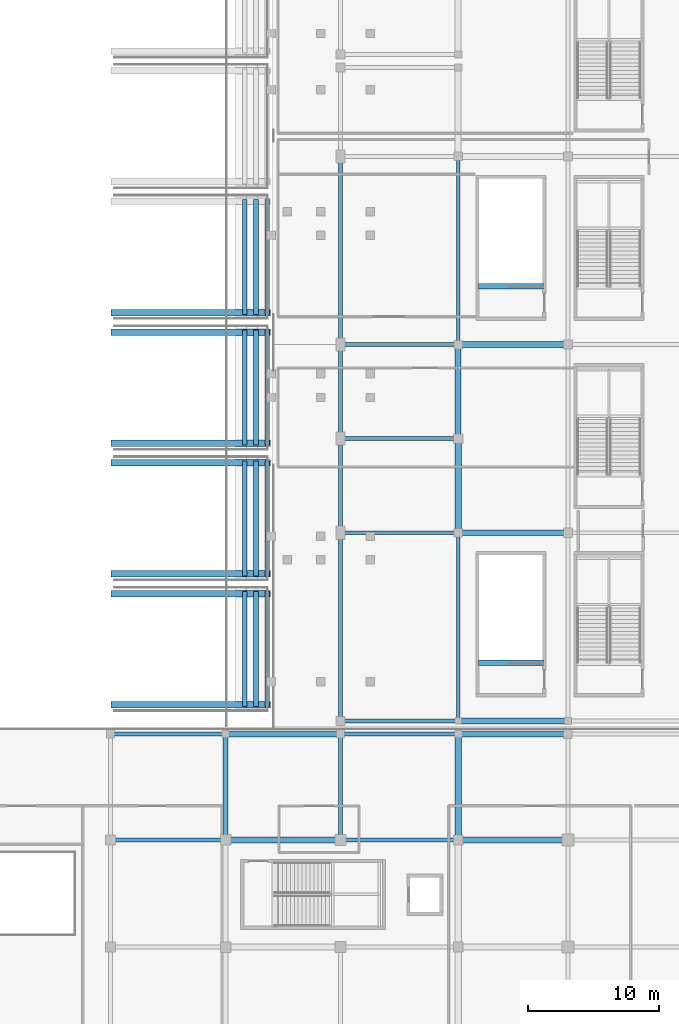
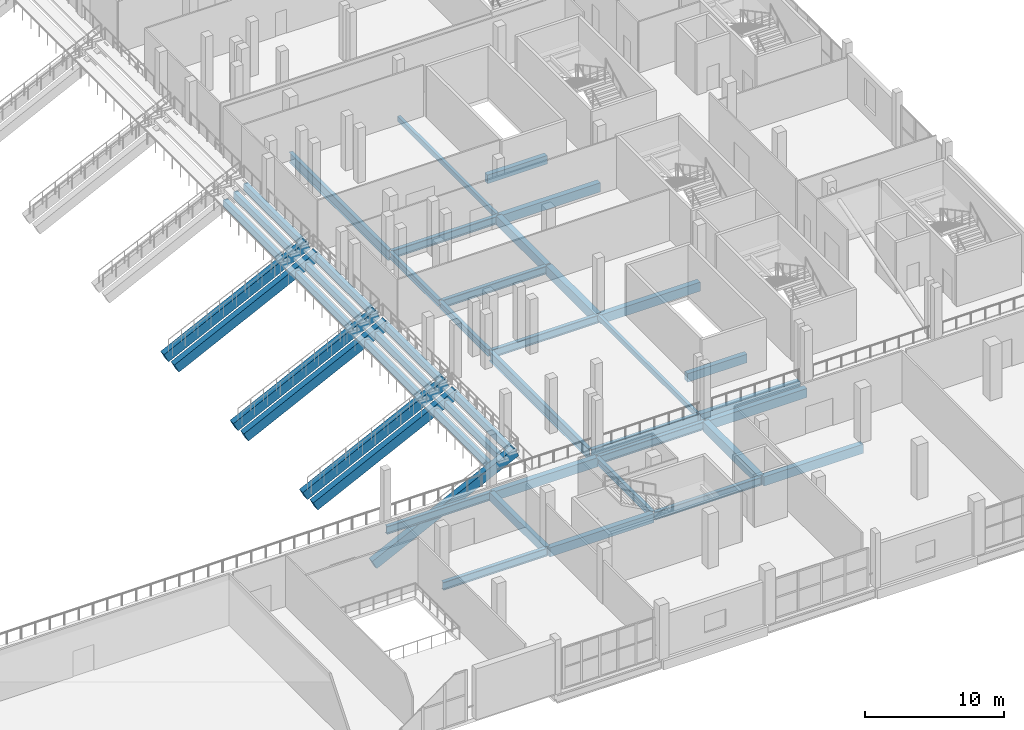
# One storey, part 35 of 129: 47 beams.
"""IFC4 building model written with IfcOpenShell, lengths in metres."""

from ifc_helpers import new_model, si_unit, direction, frame, origin, origin_2d, place, context, subcontext, project, spatial, rectangle, hollow_rectangle, i_section, extrude, material, material_profile, profile_set, type_object, element, save


model = new_model("IFC4")

# Units and contexts
model_context = context("Model", 3, precision=1e-05, world=origin(), true_north=direction((0.0, 1.0)))
body_context = subcontext(model_context, "Body", "Model", "MODEL_VIEW")
ifc_project = project(units=[si_unit("LENGTHUNIT", "METRE"), si_unit("AREAUNIT", "SQUARE_METRE"), si_unit("VOLUMEUNIT", "CUBIC_METRE"), si_unit("PLANEANGLEUNIT", "RADIAN"), si_unit("MASSUNIT", "GRAM", prefix="KILO")], contexts=[model_context])

# Site, building, storey
site_placement = place(None, origin())
site = spatial("IfcSite", under=ifc_project, at=site_placement, CompositionType="ELEMENT")
building_placement = place(site_placement, origin())
building = spatial("IfcBuilding", under=site, at=building_placement, Name="Koshinbarg Plaza Stadium", CompositionType="ELEMENT")
storey_placement = place(building_placement, frame((0.0, 0.0, 5.39990234375)))
storey = spatial("IfcBuildingStorey", under=building, at=storey_placement, Name="L01", CompositionType="ELEMENT", Elevation=5.39990234375)

# Beams
ifc_material_1 = material(Name="Concrete C40/50", Category="concrete")
ifc_material_profile_1 = material_profile(ifc_material_1, rectangle(XDim=0.5, YDim=0.85009765625, at=origin_2d()), Name="RC 500x850")
ifc_profile_set_1 = profile_set([ifc_material_profile_1], Name="Concrete C40/50")
beam_type_1 = type_object("IfcBeamType", Name="BM-RAKER-LT", PredefinedType="USERDEFINED", material=ifc_profile_set_1)
for number, where, z_axis, x_axis, name in (
    (1, (163.0400390625, 26.75, -5.073974609375), (0.897237323905, 0.0, 0.441548620869), (0.0, 1.0, 0.0), "Lower bowl raker girder RAKER LT-E01-L"),
    (2, (163.0400390625, 35.25, -5.073974609375), (0.897237323905, 0.0, 0.441548620869), (0.0, 1.0, 0.0), "Lower bowl raker girder RAKER LT-E01-R"),
    (3, (163.0400390625, 36.75, -5.073974609375), (0.897237323905, 0.0, 0.441548620869), (0.0, 1.0, 0.0), "Lower bowl raker girder RAKER LT-E02-L"),
    (4, (163.0400390625, 45.25, -5.073974609375), (0.897237323905, 0.0, 0.441548620869), (0.0, 1.0, 0.0), "Lower bowl raker girder RAKER LT-E02-R"),
    (5, (163.0400390625, 46.75, -5.073974609375), (0.897237323905, 0.0, 0.441548620869), (0.0, 1.0, 0.0), "Lower bowl raker girder RAKER LT-E03-L"),
    (6, (163.0400390625, 55.25, -5.073974609375), (0.897237323905, 0.0, 0.441548620869), (0.0, 1.0, 0.0), "Lower bowl raker girder RAKER LT-E03-R"),
    (7, (163.0400390625, 56.75, -5.073974609375), (0.897237323905, 0.0, 0.441548620869), (0.0, 1.0, 0.0), "Lower bowl raker girder RAKER LT-E04-L"),
):
    element("IfcBeam", number, at=place(storey_placement, frame(where, z_axis=z_axis, x_axis=x_axis)), inside=storey, type_object=beam_type_1, Name=name, ObjectType="GIRDER", PredefinedType="USERDEFINED", context=body_context, shape_type="SweptSolid", body=[
        extrude(rectangle(XDim=0.5, YDim=0.85009765625, at=origin_2d()), origin(), (0.0, 0.0, 1.0), 13.173828125),
    ])
ifc_material_profile_2 = material_profile(ifc_material_1, rectangle(XDim=0.35009765625, YDim=0.60009765625, at=origin_2d()), Name="RC 350x600")
ifc_profile_set_2 = profile_set([ifc_material_profile_2], Name="Concrete C40/50")
beam_type_2 = type_object("IfcBeamType", Name="BM-RCG-01", PredefinedType="SPANDREL", material=ifc_profile_set_2)
for number, where, z_axis, x_axis, name in (
    (8, (173.080078125, 26.60009765625, -0.27978515625), (0.0, 1.0, 0.0), (-1.0, 0.0, 0.0), "Lower tier seat bearer LT-E01-R12"),
    (9, (173.929931640625, 26.60009765625, 0.14013671875), (0.0, 1.0, 0.0), (-1.0, 0.0, 0.0), "Lower tier seat bearer LT-E01-R13"),
    (10, (174.780029296875, 26.60009765625, 0.56005859375), (0.0, 1.0, 0.0), (-1.0, 0.0, 0.0), "Lower tier seat bearer LT-E01-R14"),
    (11, (173.080078125, 36.60009765625, -0.27978515625), (0.0, 1.0, 0.0), (-1.0, 0.0, 0.0), "Lower tier seat bearer LT-E02-R12"),
    (12, (173.929931640625, 36.60009765625, 0.14013671875), (0.0, 1.0, 0.0), (-1.0, 0.0, 0.0), "Lower tier seat bearer LT-E02-R13"),
    (13, (174.780029296875, 36.60009765625, 0.56005859375), (0.0, 1.0, 0.0), (-1.0, 0.0, 0.0), "Lower tier seat bearer LT-E02-R14"),
    (14, (173.080078125, 46.60009765625, -0.27978515625), (0.0, 1.0, 0.0), (-1.0, 0.0, 0.0), "Lower tier seat bearer LT-E03-R12"),
    (15, (173.929931640625, 46.60009765625, 0.14013671875), (0.0, 1.0, 0.0), (-1.0, 0.0, 0.0), "Lower tier seat bearer LT-E03-R13"),
    (16, (174.780029296875, 46.60009765625, 0.56005859375), (0.0, 1.0, 0.0), (-1.0, 0.0, 0.0), "Lower tier seat bearer LT-E03-R14"),
    (17, (173.080078125, 56.60009765625, -0.27978515625), (0.0, 1.0, 0.0), (-1.0, 0.0, 0.0), "Lower tier seat bearer LT-E04-R12"),
    (18, (173.929931640625, 56.60009765625, 0.14013671875), (0.0, 1.0, 0.0), (-1.0, 0.0, 0.0), "Lower tier seat bearer LT-E04-R13"),
    (19, (174.780029296875, 56.60009765625, 0.56005859375), (0.0, 1.0, 0.0), (-1.0, 0.0, 0.0), "Lower tier seat bearer LT-E04-R14"),
):
    element("IfcBeam", number, at=place(storey_placement, frame(where, z_axis=z_axis, x_axis=x_axis)), inside=storey, type_object=beam_type_2, Name=name, PredefinedType="SPANDREL", context=body_context, shape_type="SweptSolid", body=[
        extrude(rectangle(XDim=0.35009765625, YDim=0.60009765625, at=origin_2d()), origin(), (0.0, 0.0, 1.0), 8.7998046875),
    ])
ifc_material_profile_3 = material_profile(ifc_material_1, rectangle(XDim=0.39990234375, YDim=0.75, at=origin_2d()), Name="RC 400x750")
ifc_profile_set_3 = profile_set([ifc_material_profile_3], Name="Concrete C40/50")
beam_type_3 = type_object("IfcBeamType", Name="BM-RCG-03", PredefinedType="USERDEFINED", material=ifc_profile_set_3)
beam_1_placement = place(storey_placement, frame((171.60009765625, 16.4599609375, -0.69482421875), z_axis=(0.0, 1.0, 0.0), x_axis=(-1.0, 0.0, 0.0)))
element("IfcBeam", 20, at=beam_1_placement, inside=storey, type_object=beam_type_3, Name="L01 Y girder 16/C-D", ObjectType="GIRDER", PredefinedType="USERDEFINED", context=body_context, shape_type="SweptSolid", body=[
    extrude(rectangle(XDim=0.39990234375, YDim=0.75, at=origin_2d()), origin(), (0.0, 0.0, 1.0), 7.97998046875),
])
for number, where, z_axis, x_axis, name in (
    (21, (190.949951171875, 29.9599609375, -0.375), (1.0, 0.0, 0.0), (0.0, 1.0, 0.0), "L01 stair landing header beam VL05"),
    (22, (190.949951171875, 58.760009765625, -0.375), (1.0, 0.0, 0.0), (0.0, 1.0, 0.0), "L01 stair landing header beam VL06"),
):
    element("IfcBeam", number, at=place(storey_placement, frame(where, z_axis=z_axis, x_axis=x_axis)), inside=storey, type_object=beam_type_3, Name=name, ObjectType="GIRDER", PredefinedType="USERDEFINED", context=body_context, shape_type="SweptSolid", body=[
        extrude(rectangle(XDim=0.39990234375, YDim=0.75, at=origin_2d()), origin(), (0.0, 0.0, 1.0), 4.969970703125),
    ])
ifc_material_profile_4 = material_profile(ifc_material_1, rectangle(XDim=0.449951171875, YDim=0.800048828125, at=origin_2d()), Name="RC 450x800")
ifc_profile_set_4 = profile_set([ifc_material_profile_4], Name="Concrete C40/50")
beam_type_4 = type_object("IfcBeamType", Name="BM-RCG-04", PredefinedType="USERDEFINED", material=ifc_profile_set_4)
beam_2_placement = place(storey_placement, frame((171.659912109375, 16.39990234375, -0.719970703125), z_axis=(1.0, 0.0, 0.0), x_axis=(0.0, 1.0, 0.0)))
element("IfcBeam", 23, at=beam_2_placement, inside=storey, type_object=beam_type_4, Name="L01 X girder C/16-17", ObjectType="GIRDER", PredefinedType="USERDEFINED", context=body_context, shape_type="SweptSolid", body=[
    extrude(rectangle(XDim=0.449951171875, YDim=0.800048828125, at=origin_2d()), origin(), (0.0, 0.0, 1.0), 8.68017578125),
])
beam_3_placement = place(storey_placement, frame((189.4599609375, 16.39990234375, -0.719970703125), z_axis=(1.0, 0.0, 0.0), x_axis=(0.0, 1.0, 0.0)))
element("IfcBeam", 24, at=beam_3_placement, inside=storey, type_object=beam_type_4, Name="L01 X girder C/18-19", ObjectType="GIRDER", PredefinedType="USERDEFINED", context=body_context, shape_type="SweptSolid", body=[
    extrude(rectangle(XDim=0.449951171875, YDim=0.800048828125, at=origin_2d()), origin(), (0.0, 0.0, 1.0), 8.280029296875),
])
beam_4_placement = place(storey_placement, frame((171.659912109375, 24.5, -0.719970703125), z_axis=(1.0, 0.0, 0.0), x_axis=(0.0, 1.0, 0.0)))
element("IfcBeam", 25, at=beam_4_placement, inside=storey, type_object=beam_type_4, Name="L01 X girder D/16-17", ObjectType="GIRDER", PredefinedType="USERDEFINED", context=body_context, shape_type="SweptSolid", body=[
    extrude(rectangle(XDim=0.449951171875, YDim=0.800048828125, at=origin_2d()), origin(), (0.0, 0.0, 1.0), 8.68017578125),
])
for number, where, z_axis, x_axis, name in (
    (26, (189.4599609375, 24.5, -0.719970703125), (1.0, 0.0, 0.0), (0.0, 1.0, 0.0), "L01 X girder D/18-19"),
    (27, (189.4599609375, 25.5, -0.719970703125), (1.0, 0.0, 0.0), (0.0, 1.0, 0.0), "L01 X girder E/18-19"),
    (28, (189.4599609375, 39.89990234375, -0.719970703125), (1.0, 0.0, 0.0), (0.0, 1.0, 0.0), "L01 X girder F/18-19"),
    (29, (189.4599609375, 54.300048828125, -0.719970703125), (1.0, 0.0, 0.0), (0.0, 1.0, 0.0), "L01 X girder H/18-19"),
):
    element("IfcBeam", number, at=place(storey_placement, frame(where, z_axis=z_axis, x_axis=x_axis)), inside=storey, type_object=beam_type_4, Name=name, ObjectType="GIRDER", PredefinedType="USERDEFINED", context=body_context, shape_type="SweptSolid", body=[
        extrude(rectangle(XDim=0.449951171875, YDim=0.800048828125, at=origin_2d()), origin(), (0.0, 0.0, 1.0), 8.280029296875),
    ])
beam_5_placement = place(storey_placement, frame((189.39990234375, 47.159912109375, -0.719970703125), z_axis=(0.0, 1.0, 0.0), x_axis=(-1.0, 0.0, 0.0)))
element("IfcBeam", 30, at=beam_5_placement, inside=storey, type_object=beam_type_4, Name="L01 Y girder 18/G-H", ObjectType="GIRDER", PredefinedType="USERDEFINED", context=body_context, shape_type="SweptSolid", body=[
    extrude(rectangle(XDim=0.449951171875, YDim=0.800048828125, at=origin_2d()), origin(), (0.0, 0.0, 1.0), 7.080078125),
])
ifc_material_profile_5 = material_profile(ifc_material_1, rectangle(XDim=0.5, YDim=0.85009765625, at=origin_2d()), Name="RC 500x850")
ifc_profile_set_5 = profile_set([ifc_material_profile_5], Name="Concrete C40/50")
beam_type_5 = type_object("IfcBeamType", Name="BM-RCG-05", PredefinedType="USERDEFINED", material=ifc_profile_set_5)
beam_6_placement = place(storey_placement, frame((189.39990234375, 16.4599609375, -0.744873046875), z_axis=(0.0, 1.0, 0.0), x_axis=(-1.0, 0.0, 0.0)))
element("IfcBeam", 31, at=beam_6_placement, inside=storey, type_object=beam_type_5, Name="L01 Y girder 18/C-D", ObjectType="GIRDER", PredefinedType="USERDEFINED", context=body_context, shape_type="SweptSolid", body=[
    extrude(rectangle(XDim=0.5, YDim=0.85009765625, at=origin_2d()), origin(), (0.0, 0.0, 1.0), 7.97998046875),
])
beam_7_placement = place(storey_placement, frame((189.39990234375, 39.9599609375, -0.744873046875), z_axis=(0.0, 1.0, 0.0), x_axis=(-1.0, 0.0, 0.0)))
element("IfcBeam", 32, at=beam_7_placement, inside=storey, type_object=beam_type_5, Name="L01 Y girder 18/F-G", ObjectType="GIRDER", PredefinedType="USERDEFINED", context=body_context, shape_type="SweptSolid", body=[
    extrude(rectangle(XDim=0.5, YDim=0.85009765625, at=origin_2d()), origin(), (0.0, 0.0, 1.0), 7.080078125),
])
ifc_material_2 = material(Name="Steel S355", Category="steel")
ifc_material_profile_6 = material_profile(ifc_material_2, i_section(OverallWidth=0.300048828125, OverallDepth=0.60009765625, WebThickness=0.015380859375, FlangeThickness=0.030029296875, at=origin_2d()), Name="HEB 600")
ifc_profile_set_6 = profile_set([ifc_material_profile_6], Name="Steel S355")
beam_type_6 = type_object("IfcBeamType", Name="BM-SGIR-02", PredefinedType="USERDEFINED", material=ifc_profile_set_6)
beam_8_placement = place(storey_placement, frame((180.39990234375, 16.4599609375, -0.619873046875), z_axis=(0.0, 1.0, 0.0), x_axis=(-1.0, 0.0, 0.0)))
element("IfcBeam", 33, at=beam_8_placement, inside=storey, type_object=beam_type_6, Name="L01 Y girder 17/C-D", ObjectType="GIRDER", PredefinedType="USERDEFINED", context=body_context, shape_type="SweptSolid", body=[
    extrude(i_section(OverallWidth=0.300048828125, OverallDepth=0.60009765625, WebThickness=0.015380859375, FlangeThickness=0.030029296875, at=origin_2d()), origin(), (0.0, 0.0, 1.0), 7.97998046875),
])
for number, where, z_axis, x_axis, name in (
    (34, (180.39990234375, 39.9599609375, -0.619873046875), (0.0, 1.0, 0.0), (-1.0, 0.0, 0.0), "L01 Y girder 17/F-G"),
    (35, (180.39990234375, 47.159912109375, -0.619873046875), (0.0, 1.0, 0.0), (-1.0, 0.0, 0.0), "L01 Y girder 17/G-H"),
):
    element("IfcBeam", number, at=place(storey_placement, frame(where, z_axis=z_axis, x_axis=x_axis)), inside=storey, type_object=beam_type_6, Name=name, ObjectType="GIRDER", PredefinedType="USERDEFINED", context=body_context, shape_type="SweptSolid", body=[
        extrude(i_section(OverallWidth=0.300048828125, OverallDepth=0.60009765625, WebThickness=0.015380859375, FlangeThickness=0.030029296875, at=origin_2d()), origin(), (0.0, 0.0, 1.0), 7.080078125),
    ])
ifc_material_profile_7 = material_profile(ifc_material_2, i_section(OverallWidth=0.300048828125, OverallDepth=0.699951171875, WebThickness=0.01708984375, FlangeThickness=0.031982421875, at=origin_2d()), Name="HEB 700")
ifc_profile_set_7 = profile_set([ifc_material_profile_7], Name="Steel S355")
beam_type_7 = type_object("IfcBeamType", Name="BM-SGIR-03", PredefinedType="USERDEFINED", material=ifc_profile_set_7)
beam_9_placement = place(storey_placement, frame((162.860107421875, 16.39990234375, -0.669921875), z_axis=(1.0, 0.0, 0.0), x_axis=(0.0, 1.0, 0.0)))
element("IfcBeam", 36, at=beam_9_placement, inside=storey, type_object=beam_type_7, Name="L01 X girder C/15-16", ObjectType="GIRDER", PredefinedType="USERDEFINED", context=body_context, shape_type="SweptSolid", body=[
    extrude(i_section(OverallWidth=0.300048828125, OverallDepth=0.699951171875, WebThickness=0.01708984375, FlangeThickness=0.031982421875, at=origin_2d()), origin(), (0.0, 0.0, 1.0), 8.679931640625),
])
beam_10_placement = place(storey_placement, frame((180.4599609375, 16.39990234375, -0.669921875), z_axis=(1.0, 0.0, 0.0), x_axis=(0.0, 1.0, 0.0)))
element("IfcBeam", 37, at=beam_10_placement, inside=storey, type_object=beam_type_7, Name="L01 X girder C/17-18", ObjectType="GIRDER", PredefinedType="USERDEFINED", context=body_context, shape_type="SweptSolid", body=[
    extrude(i_section(OverallWidth=0.300048828125, OverallDepth=0.699951171875, WebThickness=0.01708984375, FlangeThickness=0.031982421875, at=origin_2d()), origin(), (0.0, 0.0, 1.0), 8.880126953125),
])
beam_11_placement = place(storey_placement, frame((162.860107421875, 24.5, -0.669921875), z_axis=(1.0, 0.0, 0.0), x_axis=(0.0, 1.0, 0.0)))
element("IfcBeam", 38, at=beam_11_placement, inside=storey, type_object=beam_type_7, Name="L01 X girder D/15-16", ObjectType="GIRDER", PredefinedType="USERDEFINED", context=body_context, shape_type="SweptSolid", body=[
    extrude(i_section(OverallWidth=0.300048828125, OverallDepth=0.699951171875, WebThickness=0.01708984375, FlangeThickness=0.031982421875, at=origin_2d()), origin(), (0.0, 0.0, 1.0), 8.679931640625),
])
for number, where, z_axis, x_axis, name in (
    (39, (180.4599609375, 24.5, -0.669921875), (1.0, 0.0, 0.0), (0.0, 1.0, 0.0), "L01 X girder D/17-18"),
    (40, (180.4599609375, 25.5, -0.669921875), (1.0, 0.0, 0.0), (0.0, 1.0, 0.0), "L01 X girder E/17-18"),
    (41, (180.4599609375, 39.89990234375, -0.669921875), (1.0, 0.0, 0.0), (0.0, 1.0, 0.0), "L01 X girder F/17-18"),
    (42, (180.4599609375, 47.10009765625, -0.669921875), (1.0, 0.0, 0.0), (0.0, 1.0, 0.0), "L01 X girder G/17-18"),
    (43, (180.4599609375, 54.300048828125, -0.669921875), (1.0, 0.0, 0.0), (0.0, 1.0, 0.0), "L01 X girder H/17-18"),
):
    element("IfcBeam", number, at=place(storey_placement, frame(where, z_axis=z_axis, x_axis=x_axis)), inside=storey, type_object=beam_type_7, Name=name, ObjectType="GIRDER", PredefinedType="USERDEFINED", context=body_context, shape_type="SweptSolid", body=[
        extrude(i_section(OverallWidth=0.300048828125, OverallDepth=0.699951171875, WebThickness=0.01708984375, FlangeThickness=0.031982421875, at=origin_2d()), origin(), (0.0, 0.0, 1.0), 8.880126953125),
    ])
ifc_material_profile_8 = material_profile(ifc_material_2, i_section(OverallWidth=0.300048828125, OverallDepth=0.89990234375, WebThickness=0.0185546875, FlangeThickness=0.034912109375, at=origin_2d()), Name="HEB 900")
ifc_profile_set_8 = profile_set([ifc_material_profile_8], Name="Steel S355")
beam_type_8 = type_object("IfcBeamType", Name="BM-SGIR-05", PredefinedType="USERDEFINED", material=ifc_profile_set_8)
beam_12_placement = place(storey_placement, frame((180.39990234375, 25.56005859375, -0.77001953125), z_axis=(0.0, 1.0, 0.0), x_axis=(-1.0, 0.0, 0.0)))
element("IfcBeam", 44, at=beam_12_placement, inside=storey, type_object=beam_type_8, Name="L01 Y girder 17/E-F", ObjectType="GIRDER", PredefinedType="USERDEFINED", context=body_context, shape_type="SweptSolid", body=[
    extrude(i_section(OverallWidth=0.300048828125, OverallDepth=0.89990234375, WebThickness=0.0185546875, FlangeThickness=0.034912109375, at=origin_2d()), origin(), (0.0, 0.0, 1.0), 14.280029296875),
])
beam_13_placement = place(storey_placement, frame((180.39990234375, 54.360107421875, -0.77001953125), z_axis=(0.0, 1.0, 0.0), x_axis=(-1.0, 0.0, 0.0)))
element("IfcBeam", 45, at=beam_13_placement, inside=storey, type_object=beam_type_8, Name="L01 Y girder 17/H-J", ObjectType="GIRDER", PredefinedType="USERDEFINED", context=body_context, shape_type="SweptSolid", body=[
    extrude(i_section(OverallWidth=0.300048828125, OverallDepth=0.89990234375, WebThickness=0.0185546875, FlangeThickness=0.034912109375, at=origin_2d()), origin(), (0.0, 0.0, 1.0), 14.27978515625),
])
ifc_material_profile_9 = material_profile(ifc_material_2, hollow_rectangle(XDim=0.25, YDim=0.449951171875, WallThickness=0.01611328125, at=origin_2d()), Name="RHS 450x250x16")
ifc_profile_set_9 = profile_set([ifc_material_profile_9], Name="Steel S355")
beam_type_9 = type_object("IfcBeamType", Name="BM-SGIR-06", PredefinedType="USERDEFINED", material=ifc_profile_set_9)
beam_14_placement = place(storey_placement, frame((189.39990234375, 25.56005859375, -0.544921875), z_axis=(0.0, 1.0, 0.0), x_axis=(-1.0, 0.0, 0.0)))
element("IfcBeam", 46, at=beam_14_placement, inside=storey, type_object=beam_type_9, Name="L01 Y girder 18/E-F", ObjectType="GIRDER", PredefinedType="USERDEFINED", context=body_context, shape_type="SweptSolid", body=[
    extrude(hollow_rectangle(XDim=0.25, YDim=0.449951171875, WallThickness=0.01611328125, at=origin_2d()), origin(), (0.0, 0.0, 1.0), 14.280029296875),
])
beam_15_placement = place(storey_placement, frame((189.39990234375, 54.360107421875, -0.544921875), z_axis=(0.0, 1.0, 0.0), x_axis=(-1.0, 0.0, 0.0)))
element("IfcBeam", 47, at=beam_15_placement, inside=storey, type_object=beam_type_9, Name="L01 Y girder 18/H-J", ObjectType="GIRDER", PredefinedType="USERDEFINED", context=body_context, shape_type="SweptSolid", body=[
    extrude(hollow_rectangle(XDim=0.25, YDim=0.449951171875, WallThickness=0.01611328125, at=origin_2d()), origin(), (0.0, 0.0, 1.0), 14.27978515625),
])

save(model, "model.ifc")
